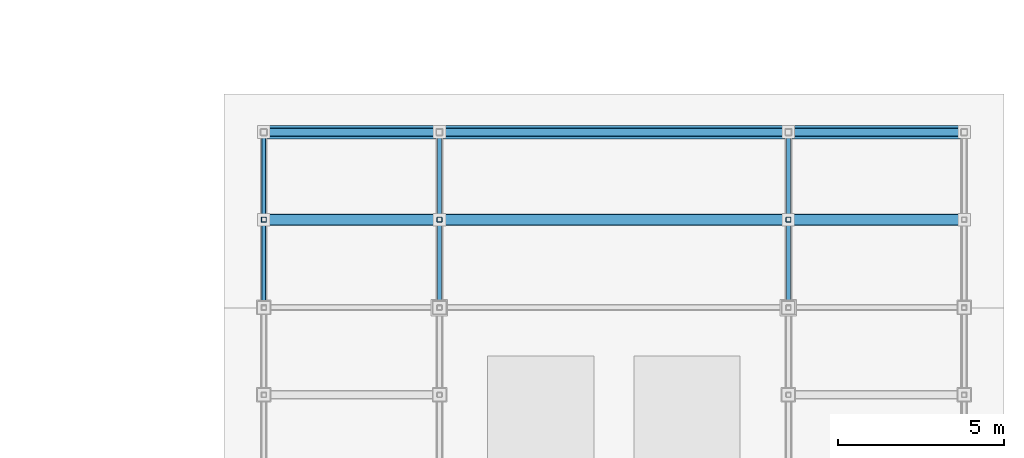
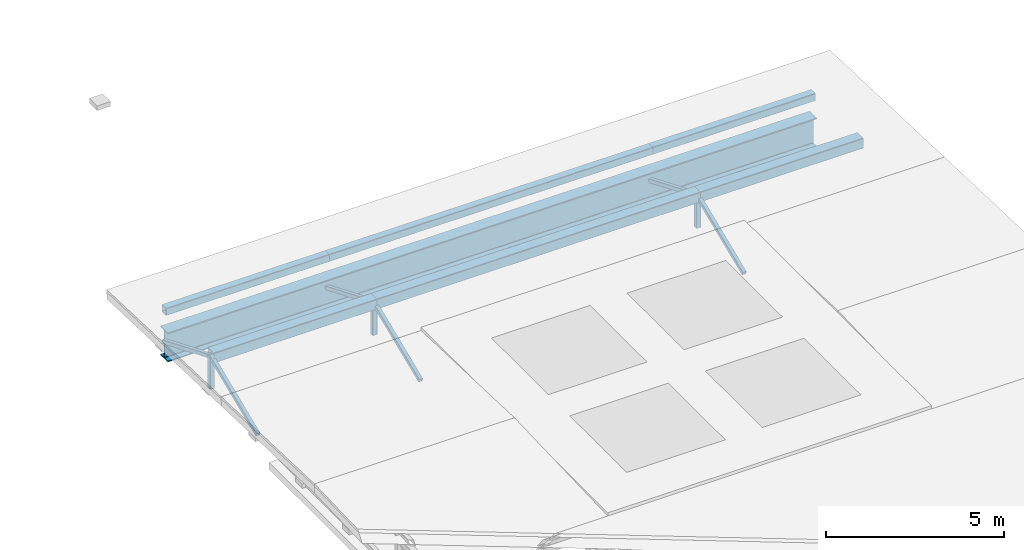
# One storey, part 6 of 25: 15 members, 1 beam.
"""IFC4 building model written with IfcOpenShell, lengths in metres."""

from ifc_helpers import new_model, si_unit, direction, frame, origin, origin_2d, place, context, subcontext, project, spatial, hollow_rectangle, i_section, extrude, material, material_profile, profile_set, type_object, element, save


model = new_model("IFC4")

# Units and contexts
model_context = context("Model", 3, precision=1e-05, world=origin(), true_north=direction((0.0, 1.0)))
body_context = subcontext(model_context, "Body", "Model", "MODEL_VIEW")
ifc_project = project(units=[si_unit("LENGTHUNIT", "METRE"), si_unit("AREAUNIT", "SQUARE_METRE"), si_unit("VOLUMEUNIT", "CUBIC_METRE"), si_unit("PLANEANGLEUNIT", "RADIAN"), si_unit("MASSUNIT", "GRAM", prefix="KILO"), si_unit("THERMODYNAMICTEMPERATUREUNIT", "KELVIN"), si_unit("POWERUNIT", "WATT")], contexts=[model_context])

# Site, building, storey
site_placement = place(None, origin())
site = spatial("IfcSite", under=ifc_project, at=site_placement, CompositionType="ELEMENT")
building_placement = place(site_placement, origin())
building = spatial("IfcBuilding", under=site, at=building_placement, Name="Zelmaris Science Centre", CompositionType="ELEMENT")
storey_placement = place(building_placement, frame((0.0, 0.0, 30.0)))
storey = spatial("IfcBuildingStorey", under=building, at=storey_placement, Name="RF", CompositionType="ELEMENT", Elevation=30.0)

# Beam
ifc_material_1 = material(Name="Steel ASTM A992 Grade 50", Category="steel")
ifc_material_profile_1 = material_profile(ifc_material_1, i_section(OverallWidth=0.40087890625, OverallDepth=1.0009765625, WebThickness=0.01904296875, FlangeThickness=0.0361328125, FilletRadius=0.02490234375, at=origin_2d()), Name="W40X249")
ifc_profile_set_1 = profile_set([ifc_material_profile_1], Name="Steel ASTM A992 Grade 50")
beam_type = type_object("IfcBeamType", Name="Beam G-22 W40X249", PredefinedType="BEAM", material=ifc_profile_set_1)
beam_placement = place(storey_placement, frame((70.464111328125, 46.535888671875, 0.24951171875), z_axis=(1.0, 0.0, 0.0), x_axis=(0.0, 1.0, 0.0)))
element("IfcBeam", 1, at=beam_placement, inside=storey, type_object=beam_type, Name="RF Exhibition roof north bearing girder", PredefinedType="BEAM", context=body_context, shape_type="SweptSolid", body=[
    extrude(i_section(OverallWidth=0.40087890625, OverallDepth=1.0009765625, WebThickness=0.01904296875, FlangeThickness=0.0361328125, FilletRadius=0.02490234375, at=origin_2d()), origin(), (0.0, 0.0, 1.0), 21.07177734375),
])

# Members
ifc_material_2 = material(Name="Steel ASTM A500 Grade C", Category="steel")
ifc_material_profile_2 = material_profile(ifc_material_2, hollow_rectangle(XDim=0.355712890625, YDim=0.355712890625, WallThickness=0.0146484375, InnerFilletRadius=0.0146484375, OuterFilletRadius=0.029296875, at=origin_2d()), Name="HSS356X356X16")
ifc_profile_set_2 = profile_set([ifc_material_profile_2], Name="Steel ASTM A500 Grade C")
member_type_1 = type_object("IfcMemberType", Name="Roof Purlin PR-08 HSS356X356X16", PredefinedType="PURLIN", material=ifc_profile_set_2)
member_1_placement = place(storey_placement, frame((70.464111328125, 43.90185546875, 1.4619140625), z_axis=(1.0, 0.0, 0.0), x_axis=(0.0, 1.0, 0.0)))
element("IfcMember", 2, at=member_1_placement, inside=storey, type_object=member_type_1, Name="RF-V2 Roof purlin 8", PredefinedType="PURLIN", context=body_context, shape_type="SweptSolid", body=[
    extrude(hollow_rectangle(XDim=0.355712890625, YDim=0.355712890625, WallThickness=0.0146484375, InnerFilletRadius=0.0146484375, OuterFilletRadius=0.029296875, at=origin_2d()), origin(), (0.0, 0.0, 1.0), 5.285888671875),
])
member_2_placement = place(storey_placement, frame((75.75, 43.90185546875, 1.4619140625), z_axis=(1.0, 0.0, 0.0), x_axis=(0.0, 1.0, 0.0)))
element("IfcMember", 3, at=member_2_placement, inside=storey, type_object=member_type_1, Name="RF-V2 Roof purlin 14", PredefinedType="PURLIN", context=body_context, shape_type="SweptSolid", body=[
    extrude(hollow_rectangle(XDim=0.355712890625, YDim=0.355712890625, WallThickness=0.0146484375, InnerFilletRadius=0.0146484375, OuterFilletRadius=0.029296875, at=origin_2d()), origin(), (0.0, 0.0, 1.0), 10.5),
])
member_3_placement = place(storey_placement, frame((86.25, 43.90185546875, 1.4619140625), z_axis=(1.0, 0.0, 0.0), x_axis=(0.0, 1.0, 0.0)))
element("IfcMember", 4, at=member_3_placement, inside=storey, type_object=member_type_1, Name="RF-V2 Roof purlin 23", PredefinedType="PURLIN", context=body_context, shape_type="SweptSolid", body=[
    extrude(hollow_rectangle(XDim=0.355712890625, YDim=0.355712890625, WallThickness=0.0146484375, InnerFilletRadius=0.0146484375, OuterFilletRadius=0.029296875, at=origin_2d()), origin(), (0.0, 0.0, 1.0), 5.285888671875),
])
ifc_material_profile_3 = material_profile(ifc_material_2, hollow_rectangle(XDim=0.25390625, YDim=0.25390625, WallThickness=0.01171875, InnerFilletRadius=0.01171875, OuterFilletRadius=0.023681640625, at=origin_2d()), Name="HSS254X254X13")
ifc_profile_set_3 = profile_set([ifc_material_profile_3], Name="Steel ASTM A500 Grade C")
member_type_2 = type_object("IfcMemberType", Name="Roof Purlin PR-09 HSS254X254X13", PredefinedType="PURLIN", material=ifc_profile_set_3)
member_4_placement = place(storey_placement, frame((70.464111328125, 46.535888671875, 1.417724609375), z_axis=(1.0, 0.0, 0.0), x_axis=(0.0, 1.0, 0.0)))
element("IfcMember", 5, at=member_4_placement, inside=storey, type_object=member_type_2, Name="RF-V2 Roof purlin 9", PredefinedType="PURLIN", context=body_context, shape_type="SweptSolid", body=[
    extrude(hollow_rectangle(XDim=0.25390625, YDim=0.25390625, WallThickness=0.01171875, InnerFilletRadius=0.01171875, OuterFilletRadius=0.023681640625, at=origin_2d()), origin(), (0.0, 0.0, 1.0), 5.285888671875),
])
member_5_placement = place(storey_placement, frame((75.75, 46.535888671875, 1.417724609375), z_axis=(1.0, 0.0, 0.0), x_axis=(0.0, 1.0, 0.0)))
element("IfcMember", 6, at=member_5_placement, inside=storey, type_object=member_type_2, Name="RF-V2 Roof purlin 15", PredefinedType="PURLIN", context=body_context, shape_type="SweptSolid", body=[
    extrude(hollow_rectangle(XDim=0.25390625, YDim=0.25390625, WallThickness=0.01171875, InnerFilletRadius=0.01171875, OuterFilletRadius=0.023681640625, at=origin_2d()), origin(), (0.0, 0.0, 1.0), 10.5),
])
member_6_placement = place(storey_placement, frame((86.25, 46.535888671875, 1.417724609375), z_axis=(1.0, 0.0, 0.0), x_axis=(0.0, 1.0, 0.0)))
element("IfcMember", 7, at=member_6_placement, inside=storey, type_object=member_type_2, Name="RF-V2 Roof purlin 24", PredefinedType="PURLIN", context=body_context, shape_type="SweptSolid", body=[
    extrude(hollow_rectangle(XDim=0.25390625, YDim=0.25390625, WallThickness=0.01171875, InnerFilletRadius=0.01171875, OuterFilletRadius=0.023681640625, at=origin_2d()), origin(), (0.0, 0.0, 1.0), 5.285888671875),
])
ifc_material_profile_4 = material_profile(ifc_material_2, hollow_rectangle(XDim=0.15234375, YDim=0.15234375, WallThickness=0.0087890625, InnerFilletRadius=0.0087890625, OuterFilletRadius=0.017822265625, at=origin_2d()), Name="HSS152X152X10")
ifc_profile_set_4 = profile_set([ifc_material_profile_4], Name="Steel ASTM A500 Grade C")
member_type_3 = type_object("IfcMemberType", Name="Structural Brace BR-03 HSS152X152X10", PredefinedType="BRACE", material=ifc_profile_set_4)
for number, where, z_axis, x_axis, name in (
    (8, (70.464111328125, 43.90185546875, 0.34814453125), (0.0, 0.0, 1.0), (1.0, 0.0, 0.0), "RF-V2 Roof truss 1 vertical web 7"),
    (9, (75.75, 43.90185546875, 0.34814453125), (0.0, 0.0, 1.0), (1.0, 0.0, 0.0), "RF-V2 Roof truss 2 vertical web 7"),
    (10, (86.25, 43.90185546875, 0.34814453125), (0.0, 0.0, 1.0), (1.0, 0.0, 0.0), "RF-V2 Roof truss 3 vertical web 7"),
):
    element("IfcMember", number, at=place(storey_placement, frame(where, z_axis=z_axis, x_axis=x_axis)), inside=storey, type_object=member_type_3, Name=name, PredefinedType="BRACE", context=body_context, shape_type="SweptSolid", body=[
        extrude(hollow_rectangle(XDim=0.15234375, YDim=0.15234375, WallThickness=0.0087890625, InnerFilletRadius=0.0087890625, OuterFilletRadius=0.017822265625, at=origin_2d()), origin(), (0.0, 0.0, 1.0), 1.094970703125),
    ])
ifc_material_profile_5 = material_profile(ifc_material_2, hollow_rectangle(XDim=0.126953125, YDim=0.126953125, WallThickness=0.00732421875, InnerFilletRadius=0.00732421875, OuterFilletRadius=0.014892578125, at=origin_2d()), Name="HSS127X127X8")
ifc_profile_set_5 = profile_set([ifc_material_profile_5], Name="Steel ASTM A500 Grade C")
member_type_4 = type_object("IfcMemberType", Name="Structural Brace BR-04 HSS127X127X8", PredefinedType="BRACE", material=ifc_profile_set_5)
for number, where, z_axis, x_axis, name in (
    (11, (70.464111328125, 41.267822265625, 0.34814453125), (0.0, 0.923393128755, 0.383855610572), (-1.0, 0.0, 0.0), "RF-V2 Roof truss 1 web diagonal 7"),
    (12, (70.464111328125, 43.90185546875, 1.443115234375), (0.0, 0.923393128755, -0.383855610572), (-1.0, 0.0, 0.0), "RF-V2 Roof truss 1 web diagonal 8"),
    (13, (75.75, 41.267822265625, 0.34814453125), (0.0, 0.923393128755, 0.383855610572), (-1.0, 0.0, 0.0), "RF-V2 Roof truss 2 web diagonal 7"),
    (14, (75.75, 43.90185546875, 1.443115234375), (0.0, 0.923393128755, -0.383855610572), (-1.0, 0.0, 0.0), "RF-V2 Roof truss 2 web diagonal 8"),
    (15, (86.25, 41.267822265625, 0.34814453125), (0.0, 0.923393128755, 0.383855610572), (-1.0, 0.0, 0.0), "RF-V2 Roof truss 3 web diagonal 7"),
    (16, (86.25, 43.90185546875, 1.443115234375), (0.0, 0.923393128755, -0.383855610572), (-1.0, 0.0, 0.0), "RF-V2 Roof truss 3 web diagonal 8"),
):
    element("IfcMember", number, at=place(storey_placement, frame(where, z_axis=z_axis, x_axis=x_axis)), inside=storey, type_object=member_type_4, Name=name, PredefinedType="BRACE", context=body_context, shape_type="SweptSolid", body=[
        extrude(hollow_rectangle(XDim=0.126953125, YDim=0.126953125, WallThickness=0.00732421875, InnerFilletRadius=0.00732421875, OuterFilletRadius=0.014892578125, at=origin_2d()), origin(), (0.0, 0.0, 1.0), 2.8525390625),
    ])

save(model, "model.ifc")
